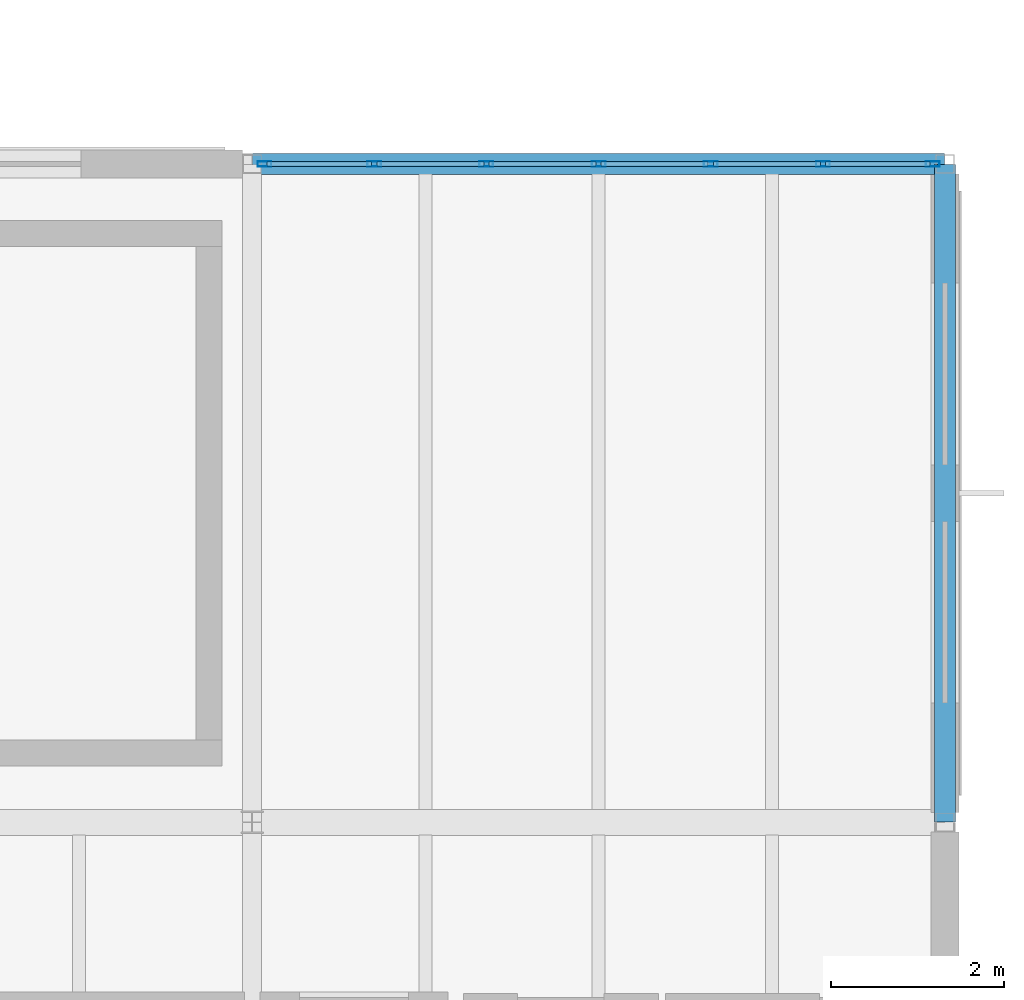
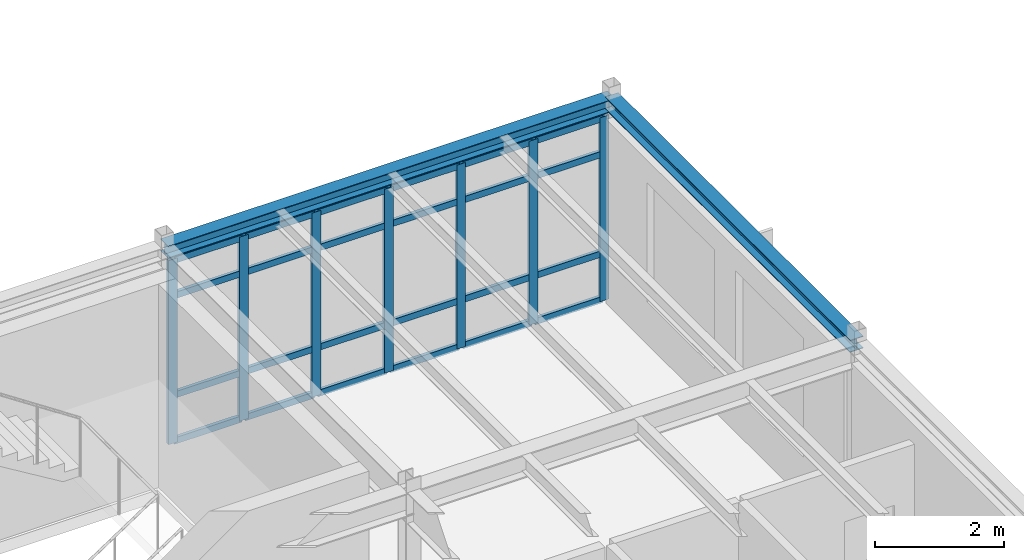
# One storey, part 63 of 114: 31 members, 2 beams, 1 element without a shape of its own.
"""IFC4 building model written with IfcOpenShell, lengths in metres."""

from ifc_helpers import new_model, si_unit, direction, frame, origin, origin_2d, place, context, subcontext, project, spatial, hollow_rectangle, i_section, extrude, material, layer, layer_set, material_profile, profile_set, type_object, element, aggregate, save


model = new_model("IFC4")

# Units and contexts
model_context = context("Model", 3, precision=1e-05, world=origin(), true_north=direction((0.0, 1.0)))
body_context = subcontext(model_context, "Body", "Model", "MODEL_VIEW")
ifc_project = project(units=[si_unit("LENGTHUNIT", "METRE"), si_unit("AREAUNIT", "SQUARE_METRE"), si_unit("VOLUMEUNIT", "CUBIC_METRE"), si_unit("PLANEANGLEUNIT", "RADIAN"), si_unit("MASSUNIT", "GRAM", prefix="KILO")], contexts=[model_context])

# Site, building, storey
site_placement = place(None, origin())
site = spatial("IfcSite", under=ifc_project, at=site_placement, CompositionType="ELEMENT")
building_placement = place(site_placement, origin())
building = spatial("IfcBuilding", under=site, at=building_placement, Name="Montecoro Central Library", CompositionType="ELEMENT")
storey_placement = place(building_placement, frame((0.0, 0.0, 13.260009765625)))
storey = spatial("IfcBuildingStorey", under=building, at=storey_placement, Name="L03", CompositionType="ELEMENT", Elevation=13.260009765625)

# Beams
ifc_material_1 = material(Name="Steel S355", Category="steel")
ifc_material_profile_1 = material_profile(ifc_material_1, i_section(OverallWidth=0.239990234375, OverallDepth=0.22998046875, WebThickness=0.007568359375, FlangeThickness=0.011962890625, at=origin_2d()), Name="HEA 240")
ifc_profile_set_1 = profile_set([ifc_material_profile_1], Name="Steel S355")
beam_type = type_object("IfcBeamType", Name="BM-SP-HEA240", PredefinedType="SPANDREL", material=ifc_profile_set_1)
beam_1_placement = place(storey_placement, frame((165.0048828125, 43.0, 3.7099609375), z_axis=(1.0, 0.0, 0.0), x_axis=(0.0, 1.0, 0.0)))
element("IfcBeam", 1, at=beam_1_placement, inside=storey, type_object=beam_type, Name="V6-L03-BX-2122-F", PredefinedType="SPANDREL", context=body_context, shape_type="SweptSolid", body=[
    extrude(i_section(OverallWidth=0.239990234375, OverallDepth=0.22998046875, WebThickness=0.007568359375, FlangeThickness=0.011962890625, at=origin_2d()), origin(), (0.0, 0.0, 1.0), 7.990234375),
])
beam_2_placement = place(storey_placement, frame((173.0, 35.405029296875, 3.7099609375), z_axis=(0.0, 1.0, 0.0), x_axis=(-1.0, 0.0, 0.0)))
element("IfcBeam", 2, at=beam_2_placement, inside=storey, type_object=beam_type, Name="V6-L03-BY-22-EF", PredefinedType="SPANDREL", context=body_context, shape_type="SweptSolid", body=[
    extrude(i_section(OverallWidth=0.239990234375, OverallDepth=0.22998046875, WebThickness=0.007568359375, FlangeThickness=0.011962890625, at=origin_2d()), origin(), (0.0, 0.0, 1.0), 7.590087890625),
])

# Curtain wall, members
ifc_material_2 = material(Name="Bronze-anodised aluminium and low-E glazing", Category="aluminium")
ifc_layer = layer(ifc_material_2, 0.159912109375)
ifc_layer_set = layer_set([ifc_layer], Name="Bronze-anodised aluminium and low-E glazing")
curtain_wall_type = type_object("IfcCurtainWallType", Name="CWT-070", PredefinedType="NOTDEFINED", material=ifc_layer_set)
curtain_wall_placement = place(storey_placement, origin())
curtain_wall = element("IfcCurtainWall", 3, at=curtain_wall_placement, inside=storey, type_object=curtain_wall_type, Name="V6-L03-CW-N3", PredefinedType="NOTDEFINED")
ifc_material_3 = material(Name="Bronze-anodised aluminium", Category="aluminium")
ifc_material_profile_2 = material_profile(ifc_material_3, hollow_rectangle(XDim=0.06005859375, YDim=0.159912109375, WallThickness=0.00390625, at=origin_2d()), Name="CWM 160x60x4.0")
ifc_profile_set_2 = profile_set([ifc_material_profile_2], Name="Bronze-anodised aluminium")
member_type_1 = type_object("IfcMemberType", Name="CWM-BRZ-60", PredefinedType="MULLION", material=ifc_profile_set_2)
member_1_placement = place(storey_placement, frame((172.85693359375, 43.0, 0.0), z_axis=(0.0, 0.0, 1.0), x_axis=(0.0, -1.0, 0.0)))
member_1 = element("IfcMember", 4, at=member_1_placement, type_object=member_type_1, Name="CW-070 mullion 1", PredefinedType="MULLION", context=body_context, shape_type="SweptSolid", body=[
    extrude(hollow_rectangle(XDim=0.06005859375, YDim=0.159912109375, WallThickness=0.00390625, at=origin_2d()), origin(), (0.0, 0.0, 1.0), 3.47998046875),
])
member_2_placement = place(storey_placement, frame((171.59130859375, 43.0, 0.0), z_axis=(0.0, 0.0, 1.0), x_axis=(0.0, -1.0, 0.0)))
member_2 = element("IfcMember", 5, at=member_2_placement, type_object=member_type_1, Name="CW-070 mullion 2", PredefinedType="MULLION", context=body_context, shape_type="SweptSolid", body=[
    extrude(hollow_rectangle(XDim=0.06005859375, YDim=0.159912109375, WallThickness=0.00390625, at=origin_2d()), origin(), (0.0, 0.0, 1.0), 3.47998046875),
])
member_3_placement = place(storey_placement, frame((170.295654296875, 43.0, 0.0), z_axis=(0.0, 0.0, 1.0), x_axis=(0.0, -1.0, 0.0)))
member_3 = element("IfcMember", 6, at=member_3_placement, type_object=member_type_1, Name="CW-070 mullion 3", PredefinedType="MULLION", context=body_context, shape_type="SweptSolid", body=[
    extrude(hollow_rectangle(XDim=0.06005859375, YDim=0.159912109375, WallThickness=0.00390625, at=origin_2d()), origin(), (0.0, 0.0, 1.0), 3.47998046875),
])
member_4_placement = place(storey_placement, frame((169.0, 43.0, 0.0), z_axis=(0.0, 0.0, 1.0), x_axis=(0.0, -1.0, 0.0)))
member_4 = element("IfcMember", 7, at=member_4_placement, type_object=member_type_1, Name="CW-070 mullion 4", PredefinedType="MULLION", context=body_context, shape_type="SweptSolid", body=[
    extrude(hollow_rectangle(XDim=0.06005859375, YDim=0.159912109375, WallThickness=0.00390625, at=origin_2d()), origin(), (0.0, 0.0, 1.0), 3.47998046875),
])
member_5_placement = place(storey_placement, frame((167.704345703125, 43.0, 0.0), z_axis=(0.0, 0.0, 1.0), x_axis=(0.0, -1.0, 0.0)))
member_5 = element("IfcMember", 8, at=member_5_placement, type_object=member_type_1, Name="CW-070 mullion 5", PredefinedType="MULLION", context=body_context, shape_type="SweptSolid", body=[
    extrude(hollow_rectangle(XDim=0.06005859375, YDim=0.159912109375, WallThickness=0.00390625, at=origin_2d()), origin(), (0.0, 0.0, 1.0), 3.47998046875),
])
member_6_placement = place(storey_placement, frame((166.40869140625, 43.0, 0.0), z_axis=(0.0, 0.0, 1.0), x_axis=(0.0, -1.0, 0.0)))
member_6 = element("IfcMember", 9, at=member_6_placement, type_object=member_type_1, Name="CW-070 mullion 6", PredefinedType="MULLION", context=body_context, shape_type="SweptSolid", body=[
    extrude(hollow_rectangle(XDim=0.06005859375, YDim=0.159912109375, WallThickness=0.00390625, at=origin_2d()), origin(), (0.0, 0.0, 1.0), 3.47998046875),
])
member_7_placement = place(storey_placement, frame((165.14306640625, 43.0, 0.0), z_axis=(0.0, 0.0, 1.0), x_axis=(0.0, -1.0, 0.0)))
member_7 = element("IfcMember", 10, at=member_7_placement, type_object=member_type_1, Name="CW-070 mullion 7", PredefinedType="MULLION", context=body_context, shape_type="SweptSolid", body=[
    extrude(hollow_rectangle(XDim=0.06005859375, YDim=0.159912109375, WallThickness=0.00390625, at=origin_2d()), origin(), (0.0, 0.0, 1.0), 3.47998046875),
])
ifc_material_profile_3 = material_profile(ifc_material_3, hollow_rectangle(XDim=0.06005859375, YDim=0.1201171875, WallThickness=0.00390625, at=origin_2d()), Name="CWT 120x60x4.0")
ifc_profile_set_3 = profile_set([ifc_material_profile_3], Name="Bronze-anodised aluminium")
member_type_2 = type_object("IfcMemberType", Name="CWT-BRZ-60", PredefinedType="USERDEFINED", material=ifc_profile_set_3)
member_8_placement = place(storey_placement, frame((172.826904296875, 43.0, 0.030029296875), z_axis=(-1.0, 0.0, 0.0), x_axis=(0.0, -1.0, 0.0)))
member_8 = element("IfcMember", 11, at=member_8_placement, type_object=member_type_2, Name="CW-070 transom 1.1", ObjectType="TRANSOM", PredefinedType="USERDEFINED", context=body_context, shape_type="SweptSolid", body=[
    extrude(hollow_rectangle(XDim=0.06005859375, YDim=0.1201171875, WallThickness=0.00390625, at=origin_2d()), origin(), (0.0, 0.0, 1.0), 1.20556640625),
])
member_9_placement = place(storey_placement, frame((172.826904296875, 43.0, 0.89990234375), z_axis=(-1.0, 0.0, 0.0), x_axis=(0.0, -1.0, 0.0)))
member_9 = element("IfcMember", 12, at=member_9_placement, type_object=member_type_2, Name="CW-070 transom 1.2", ObjectType="TRANSOM", PredefinedType="USERDEFINED", context=body_context, shape_type="SweptSolid", body=[
    extrude(hollow_rectangle(XDim=0.06005859375, YDim=0.1201171875, WallThickness=0.00390625, at=origin_2d()), origin(), (0.0, 0.0, 1.0), 1.20556640625),
])
member_10_placement = place(storey_placement, frame((172.826904296875, 43.0, 2.780029296875), z_axis=(-1.0, 0.0, 0.0), x_axis=(0.0, -1.0, 0.0)))
member_10 = element("IfcMember", 13, at=member_10_placement, type_object=member_type_2, Name="CW-070 transom 1.3", ObjectType="TRANSOM", PredefinedType="USERDEFINED", context=body_context, shape_type="SweptSolid", body=[
    extrude(hollow_rectangle(XDim=0.06005859375, YDim=0.1201171875, WallThickness=0.00390625, at=origin_2d()), origin(), (0.0, 0.0, 1.0), 1.20556640625),
])
member_11_placement = place(storey_placement, frame((172.826904296875, 43.0, 3.449951171875), z_axis=(-1.0, 0.0, 0.0), x_axis=(0.0, -1.0, 0.0)))
member_11 = element("IfcMember", 14, at=member_11_placement, type_object=member_type_2, Name="CW-070 transom 1.4", ObjectType="TRANSOM", PredefinedType="USERDEFINED", context=body_context, shape_type="SweptSolid", body=[
    extrude(hollow_rectangle(XDim=0.06005859375, YDim=0.1201171875, WallThickness=0.00390625, at=origin_2d()), origin(), (0.0, 0.0, 1.0), 1.20556640625),
])
member_12_placement = place(storey_placement, frame((171.561279296875, 43.0, 0.030029296875), z_axis=(-1.0, 0.0, 0.0), x_axis=(0.0, -1.0, 0.0)))
member_12 = element("IfcMember", 15, at=member_12_placement, type_object=member_type_2, Name="CW-070 transom 2.1", ObjectType="TRANSOM", PredefinedType="USERDEFINED", context=body_context, shape_type="SweptSolid", body=[
    extrude(hollow_rectangle(XDim=0.06005859375, YDim=0.1201171875, WallThickness=0.00390625, at=origin_2d()), origin(), (0.0, 0.0, 1.0), 1.235595703125),
])
member_13_placement = place(storey_placement, frame((171.561279296875, 43.0, 0.89990234375), z_axis=(-1.0, 0.0, 0.0), x_axis=(0.0, -1.0, 0.0)))
member_13 = element("IfcMember", 16, at=member_13_placement, type_object=member_type_2, Name="CW-070 transom 2.2", ObjectType="TRANSOM", PredefinedType="USERDEFINED", context=body_context, shape_type="SweptSolid", body=[
    extrude(hollow_rectangle(XDim=0.06005859375, YDim=0.1201171875, WallThickness=0.00390625, at=origin_2d()), origin(), (0.0, 0.0, 1.0), 1.235595703125),
])
member_14_placement = place(storey_placement, frame((171.561279296875, 43.0, 2.780029296875), z_axis=(-1.0, 0.0, 0.0), x_axis=(0.0, -1.0, 0.0)))
member_14 = element("IfcMember", 17, at=member_14_placement, type_object=member_type_2, Name="CW-070 transom 2.3", ObjectType="TRANSOM", PredefinedType="USERDEFINED", context=body_context, shape_type="SweptSolid", body=[
    extrude(hollow_rectangle(XDim=0.06005859375, YDim=0.1201171875, WallThickness=0.00390625, at=origin_2d()), origin(), (0.0, 0.0, 1.0), 1.235595703125),
])
member_15_placement = place(storey_placement, frame((171.561279296875, 43.0, 3.449951171875), z_axis=(-1.0, 0.0, 0.0), x_axis=(0.0, -1.0, 0.0)))
member_15 = element("IfcMember", 18, at=member_15_placement, type_object=member_type_2, Name="CW-070 transom 2.4", ObjectType="TRANSOM", PredefinedType="USERDEFINED", context=body_context, shape_type="SweptSolid", body=[
    extrude(hollow_rectangle(XDim=0.06005859375, YDim=0.1201171875, WallThickness=0.00390625, at=origin_2d()), origin(), (0.0, 0.0, 1.0), 1.235595703125),
])
member_16_placement = place(storey_placement, frame((170.265625, 43.0, 0.030029296875), z_axis=(-1.0, 0.0, 0.0), x_axis=(0.0, -1.0, 0.0)))
member_16 = element("IfcMember", 19, at=member_16_placement, type_object=member_type_2, Name="CW-070 transom 3.1", ObjectType="TRANSOM", PredefinedType="USERDEFINED", context=body_context, shape_type="SweptSolid", body=[
    extrude(hollow_rectangle(XDim=0.06005859375, YDim=0.1201171875, WallThickness=0.00390625, at=origin_2d()), origin(), (0.0, 0.0, 1.0), 1.235595703125),
])
member_17_placement = place(storey_placement, frame((170.265625, 43.0, 0.89990234375), z_axis=(-1.0, 0.0, 0.0), x_axis=(0.0, -1.0, 0.0)))
member_17 = element("IfcMember", 20, at=member_17_placement, type_object=member_type_2, Name="CW-070 transom 3.2", ObjectType="TRANSOM", PredefinedType="USERDEFINED", context=body_context, shape_type="SweptSolid", body=[
    extrude(hollow_rectangle(XDim=0.06005859375, YDim=0.1201171875, WallThickness=0.00390625, at=origin_2d()), origin(), (0.0, 0.0, 1.0), 1.235595703125),
])
member_18_placement = place(storey_placement, frame((170.265625, 43.0, 2.780029296875), z_axis=(-1.0, 0.0, 0.0), x_axis=(0.0, -1.0, 0.0)))
member_18 = element("IfcMember", 21, at=member_18_placement, type_object=member_type_2, Name="CW-070 transom 3.3", ObjectType="TRANSOM", PredefinedType="USERDEFINED", context=body_context, shape_type="SweptSolid", body=[
    extrude(hollow_rectangle(XDim=0.06005859375, YDim=0.1201171875, WallThickness=0.00390625, at=origin_2d()), origin(), (0.0, 0.0, 1.0), 1.235595703125),
])
member_19_placement = place(storey_placement, frame((170.265625, 43.0, 3.449951171875), z_axis=(-1.0, 0.0, 0.0), x_axis=(0.0, -1.0, 0.0)))
member_19 = element("IfcMember", 22, at=member_19_placement, type_object=member_type_2, Name="CW-070 transom 3.4", ObjectType="TRANSOM", PredefinedType="USERDEFINED", context=body_context, shape_type="SweptSolid", body=[
    extrude(hollow_rectangle(XDim=0.06005859375, YDim=0.1201171875, WallThickness=0.00390625, at=origin_2d()), origin(), (0.0, 0.0, 1.0), 1.235595703125),
])
member_20_placement = place(storey_placement, frame((168.969970703125, 43.0, 0.030029296875), z_axis=(-1.0, 0.0, 0.0), x_axis=(0.0, -1.0, 0.0)))
member_20 = element("IfcMember", 23, at=member_20_placement, type_object=member_type_2, Name="CW-070 transom 4.1", ObjectType="TRANSOM", PredefinedType="USERDEFINED", context=body_context, shape_type="SweptSolid", body=[
    extrude(hollow_rectangle(XDim=0.06005859375, YDim=0.1201171875, WallThickness=0.00390625, at=origin_2d()), origin(), (0.0, 0.0, 1.0), 1.235595703125),
])
member_21_placement = place(storey_placement, frame((168.969970703125, 43.0, 0.89990234375), z_axis=(-1.0, 0.0, 0.0), x_axis=(0.0, -1.0, 0.0)))
member_21 = element("IfcMember", 24, at=member_21_placement, type_object=member_type_2, Name="CW-070 transom 4.2", ObjectType="TRANSOM", PredefinedType="USERDEFINED", context=body_context, shape_type="SweptSolid", body=[
    extrude(hollow_rectangle(XDim=0.06005859375, YDim=0.1201171875, WallThickness=0.00390625, at=origin_2d()), origin(), (0.0, 0.0, 1.0), 1.235595703125),
])
member_22_placement = place(storey_placement, frame((168.969970703125, 43.0, 2.780029296875), z_axis=(-1.0, 0.0, 0.0), x_axis=(0.0, -1.0, 0.0)))
member_22 = element("IfcMember", 25, at=member_22_placement, type_object=member_type_2, Name="CW-070 transom 4.3", ObjectType="TRANSOM", PredefinedType="USERDEFINED", context=body_context, shape_type="SweptSolid", body=[
    extrude(hollow_rectangle(XDim=0.06005859375, YDim=0.1201171875, WallThickness=0.00390625, at=origin_2d()), origin(), (0.0, 0.0, 1.0), 1.235595703125),
])
member_23_placement = place(storey_placement, frame((168.969970703125, 43.0, 3.449951171875), z_axis=(-1.0, 0.0, 0.0), x_axis=(0.0, -1.0, 0.0)))
member_23 = element("IfcMember", 26, at=member_23_placement, type_object=member_type_2, Name="CW-070 transom 4.4", ObjectType="TRANSOM", PredefinedType="USERDEFINED", context=body_context, shape_type="SweptSolid", body=[
    extrude(hollow_rectangle(XDim=0.06005859375, YDim=0.1201171875, WallThickness=0.00390625, at=origin_2d()), origin(), (0.0, 0.0, 1.0), 1.235595703125),
])
member_24_placement = place(storey_placement, frame((167.67431640625, 43.0, 0.030029296875), z_axis=(-1.0, 0.0, 0.0), x_axis=(0.0, -1.0, 0.0)))
member_24 = element("IfcMember", 27, at=member_24_placement, type_object=member_type_2, Name="CW-070 transom 5.1", ObjectType="TRANSOM", PredefinedType="USERDEFINED", context=body_context, shape_type="SweptSolid", body=[
    extrude(hollow_rectangle(XDim=0.06005859375, YDim=0.1201171875, WallThickness=0.00390625, at=origin_2d()), origin(), (0.0, 0.0, 1.0), 1.235595703125),
])
member_25_placement = place(storey_placement, frame((167.67431640625, 43.0, 0.89990234375), z_axis=(-1.0, 0.0, 0.0), x_axis=(0.0, -1.0, 0.0)))
member_25 = element("IfcMember", 28, at=member_25_placement, type_object=member_type_2, Name="CW-070 transom 5.2", ObjectType="TRANSOM", PredefinedType="USERDEFINED", context=body_context, shape_type="SweptSolid", body=[
    extrude(hollow_rectangle(XDim=0.06005859375, YDim=0.1201171875, WallThickness=0.00390625, at=origin_2d()), origin(), (0.0, 0.0, 1.0), 1.235595703125),
])
member_26_placement = place(storey_placement, frame((167.67431640625, 43.0, 2.780029296875), z_axis=(-1.0, 0.0, 0.0), x_axis=(0.0, -1.0, 0.0)))
member_26 = element("IfcMember", 29, at=member_26_placement, type_object=member_type_2, Name="CW-070 transom 5.3", ObjectType="TRANSOM", PredefinedType="USERDEFINED", context=body_context, shape_type="SweptSolid", body=[
    extrude(hollow_rectangle(XDim=0.06005859375, YDim=0.1201171875, WallThickness=0.00390625, at=origin_2d()), origin(), (0.0, 0.0, 1.0), 1.235595703125),
])
member_27_placement = place(storey_placement, frame((167.67431640625, 43.0, 3.449951171875), z_axis=(-1.0, 0.0, 0.0), x_axis=(0.0, -1.0, 0.0)))
member_27 = element("IfcMember", 30, at=member_27_placement, type_object=member_type_2, Name="CW-070 transom 5.4", ObjectType="TRANSOM", PredefinedType="USERDEFINED", context=body_context, shape_type="SweptSolid", body=[
    extrude(hollow_rectangle(XDim=0.06005859375, YDim=0.1201171875, WallThickness=0.00390625, at=origin_2d()), origin(), (0.0, 0.0, 1.0), 1.235595703125),
])
member_28_placement = place(storey_placement, frame((166.378662109375, 43.0, 0.030029296875), z_axis=(-1.0, 0.0, 0.0), x_axis=(0.0, -1.0, 0.0)))
member_28 = element("IfcMember", 31, at=member_28_placement, type_object=member_type_2, Name="CW-070 transom 6.1", ObjectType="TRANSOM", PredefinedType="USERDEFINED", context=body_context, shape_type="SweptSolid", body=[
    extrude(hollow_rectangle(XDim=0.06005859375, YDim=0.1201171875, WallThickness=0.00390625, at=origin_2d()), origin(), (0.0, 0.0, 1.0), 1.20556640625),
])
member_29_placement = place(storey_placement, frame((166.378662109375, 43.0, 0.89990234375), z_axis=(-1.0, 0.0, 0.0), x_axis=(0.0, -1.0, 0.0)))
member_29 = element("IfcMember", 32, at=member_29_placement, type_object=member_type_2, Name="CW-070 transom 6.2", ObjectType="TRANSOM", PredefinedType="USERDEFINED", context=body_context, shape_type="SweptSolid", body=[
    extrude(hollow_rectangle(XDim=0.06005859375, YDim=0.1201171875, WallThickness=0.00390625, at=origin_2d()), origin(), (0.0, 0.0, 1.0), 1.20556640625),
])
member_30_placement = place(storey_placement, frame((166.378662109375, 43.0, 2.780029296875), z_axis=(-1.0, 0.0, 0.0), x_axis=(0.0, -1.0, 0.0)))
member_30 = element("IfcMember", 33, at=member_30_placement, type_object=member_type_2, Name="CW-070 transom 6.3", ObjectType="TRANSOM", PredefinedType="USERDEFINED", context=body_context, shape_type="SweptSolid", body=[
    extrude(hollow_rectangle(XDim=0.06005859375, YDim=0.1201171875, WallThickness=0.00390625, at=origin_2d()), origin(), (0.0, 0.0, 1.0), 1.20556640625),
])
member_31_placement = place(storey_placement, frame((166.378662109375, 43.0, 3.449951171875), z_axis=(-1.0, 0.0, 0.0), x_axis=(0.0, -1.0, 0.0)))
member_31 = element("IfcMember", 34, at=member_31_placement, type_object=member_type_2, Name="CW-070 transom 6.4", ObjectType="TRANSOM", PredefinedType="USERDEFINED", context=body_context, shape_type="SweptSolid", body=[
    extrude(hollow_rectangle(XDim=0.06005859375, YDim=0.1201171875, WallThickness=0.00390625, at=origin_2d()), origin(), (0.0, 0.0, 1.0), 1.20556640625),
])
aggregate(curtain_wall, [member_1, member_2, member_3, member_4, member_5, member_6, member_7, member_8, member_9, member_10, member_11, member_12, member_13, member_14, member_15, member_16, member_17, member_18, member_19, member_20, member_21, member_22, member_23, member_24, member_25, member_26, member_27, member_28, member_29, member_30, member_31])

save(model, "model.ifc")
